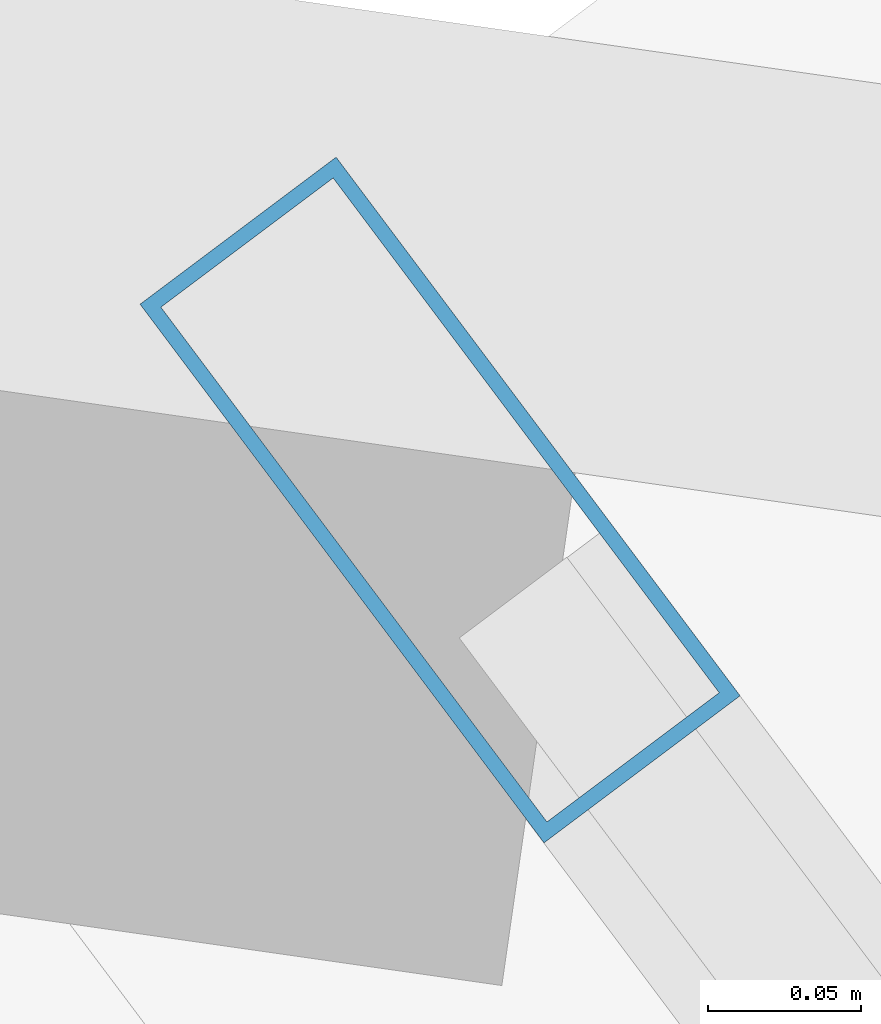
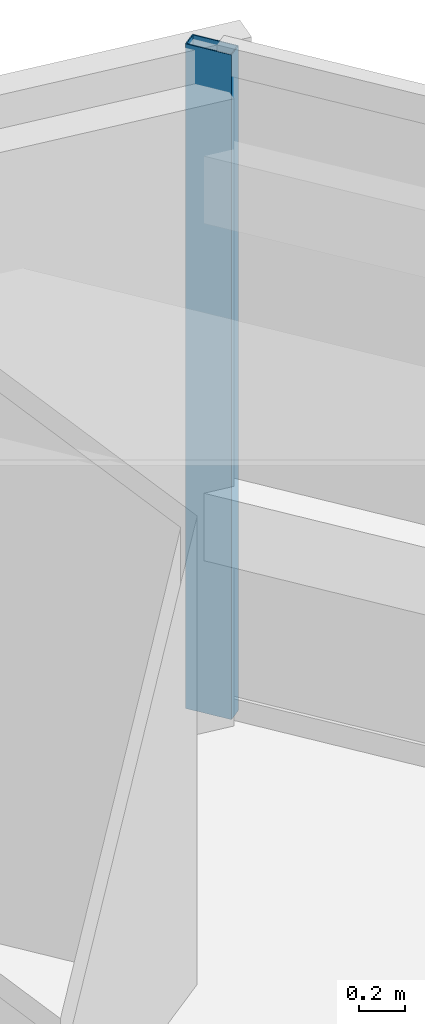
# One storey, part 33 of 46: 1 member, 1 element without a shape of its own.
"""IFC4 building model written with IfcOpenShell, lengths in metres."""

from ifc_helpers import new_model, si_unit, direction, frame, origin, origin_2d, place, context, subcontext, project, spatial, hollow_rectangle, extrude, material, material_profile, profile_set, type_object, element, aggregate, save


model = new_model("IFC4")

# Units and contexts
model_context = context("Model", 3, precision=1e-05, world=origin(), true_north=direction((0.0, 1.0)))
body_context = subcontext(model_context, "Body", "Model", "MODEL_VIEW")
ifc_project = project(units=[si_unit("LENGTHUNIT", "METRE"), si_unit("AREAUNIT", "SQUARE_METRE"), si_unit("VOLUMEUNIT", "CUBIC_METRE"), si_unit("PLANEANGLEUNIT", "RADIAN"), si_unit("MASSUNIT", "GRAM", prefix="KILO")], contexts=[model_context])

# Site, building, storey
site_placement = place(None, origin())
site = spatial("IfcSite", under=ifc_project, at=site_placement, CompositionType="ELEMENT")
building_placement = place(site_placement, origin())
building = spatial("IfcBuilding", under=site, at=building_placement, Name="Tashvorn Skyway Center", CompositionType="ELEMENT")
storey_placement = place(building_placement, frame((0.0, 0.0, 99.14990234375)))
storey = spatial("IfcBuildingStorey", under=building, at=storey_placement, Name="L26", CompositionType="ELEMENT", Elevation=99.14990234375)

# Curtain wall, member
ifc_material = material(Name="Thermally broken bronze-anodized aluminium 6063-T6", Category="aluminium")
curtain_wall_type = type_object("IfcCurtainWallType", Name="CW-CW-Z2", PredefinedType="NOTDEFINED", material=ifc_material)
curtain_wall_placement = place(storey_placement, origin())
curtain_wall = element("IfcCurtainWall", 1, at=curtain_wall_placement, inside=storey, type_object=curtain_wall_type, Name="Tower 2 L26 East Unitised Curtain Wall Glazing Group 1", PredefinedType="NOTDEFINED")
ifc_material_profile = material_profile(ifc_material, hollow_rectangle(XDim=0.080078125, YDim=0.219970703125, WallThickness=0.0048828125, at=origin_2d()), Name="ALU-MULL-80x220")
ifc_profile_set = profile_set([ifc_material_profile], Name="Thermally broken bronze-anodized aluminium 6063-T6")
member_type = type_object("IfcMemberType", Name="CWM-CW-Z2", PredefinedType="MULLION", material=ifc_profile_set)
member_placement = place(storey_placement, frame((119.56005859375, 57.719970703125, 0.0), z_axis=(0.0, 0.0, 1.0), x_axis=(0.799999999998, 0.600000000002, 0.0)))
member = element("IfcMember", 2, at=member_placement, type_object=member_type, Name="CW-Z2 mullion 1", PredefinedType="MULLION", context=body_context, shape_type="SweptSolid", body=[
    extrude(hollow_rectangle(XDim=0.080078125, YDim=0.219970703125, WallThickness=0.0048828125, at=origin_2d()), origin(), (0.0, 0.0, 1.0), 3.550048828125),
])
aggregate(curtain_wall, [member])

save(model, "model.ifc")
